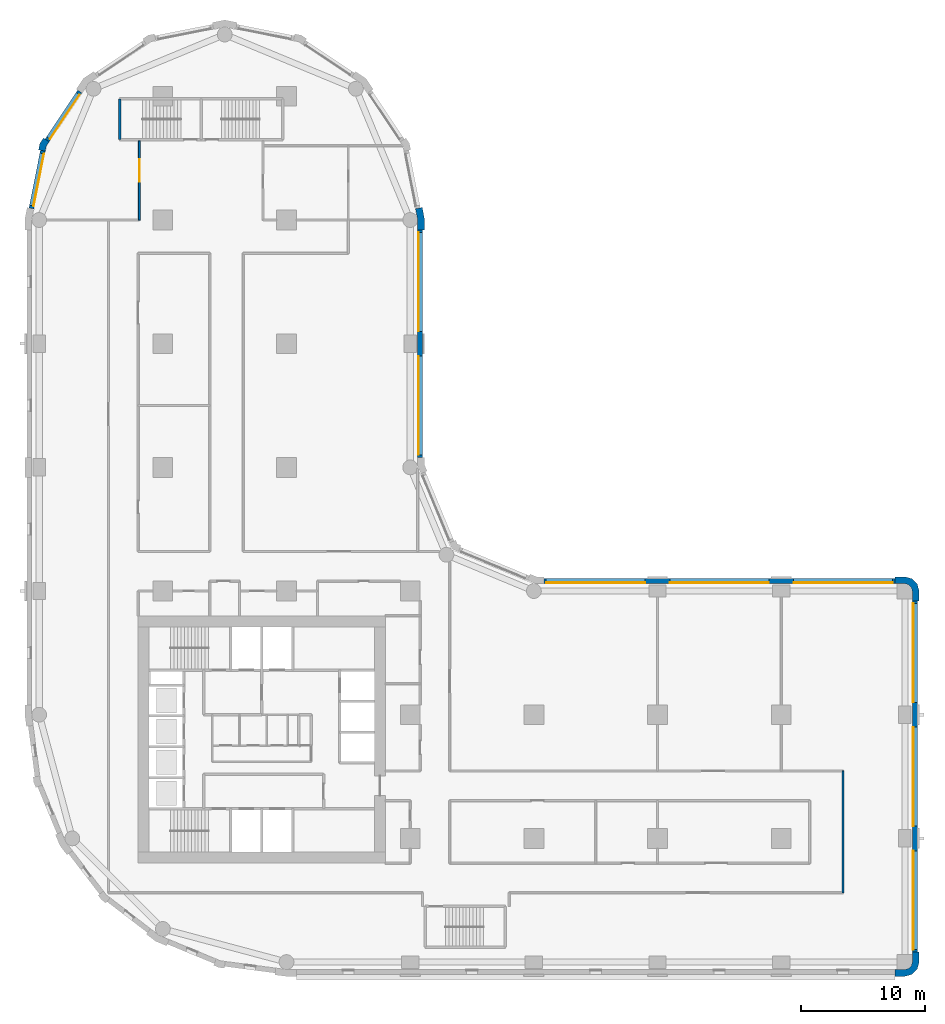
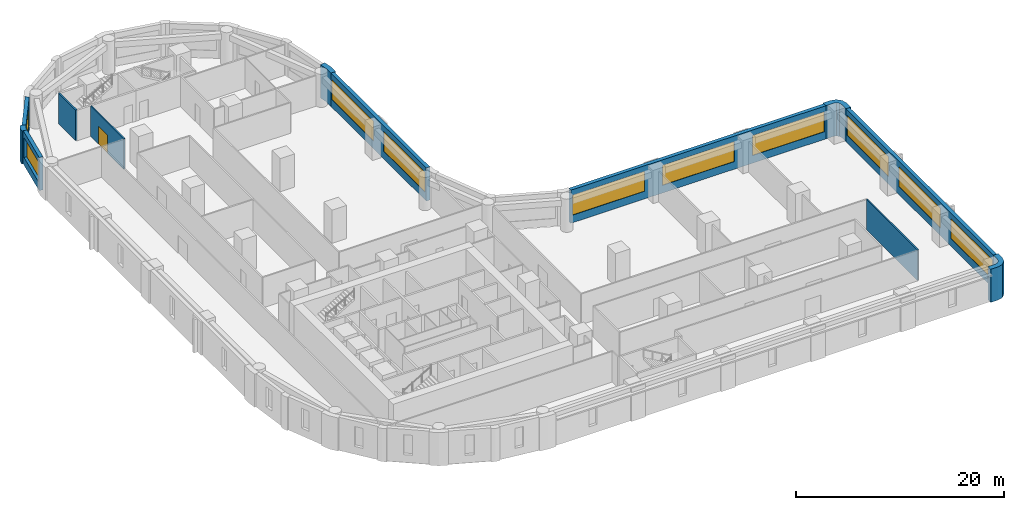
# One storey, part 6 of 10: 12 walls, 10 windows, 1 door, 11 openings.
"""IFC4 building model written with IfcOpenShell, lengths in metres."""

from ifc_helpers import new_model, si_unit, direction, frame, frame_2d, origin, place, context, subcontext, project, spatial, polyline, rectangle, outline, extrude, material, layer, layer_set, type_object, element, fill, save


model = new_model("IFC4")

# Units and contexts
model_context = context("Model", 3, precision=1e-05, world=origin(), true_north=direction((0.0, 1.0)))
body_context = subcontext(model_context, "Body", "Model", "MODEL_VIEW")
ifc_project = project(units=[si_unit("LENGTHUNIT", "METRE"), si_unit("AREAUNIT", "SQUARE_METRE"), si_unit("VOLUMEUNIT", "CUBIC_METRE"), si_unit("PLANEANGLEUNIT", "RADIAN"), si_unit("MASSUNIT", "GRAM", prefix="KILO")], contexts=[model_context])

# Site, building, storey
site_placement = place(None, origin())
site = spatial("IfcSite", under=ifc_project, at=site_placement, CompositionType="ELEMENT")
building_placement = place(site_placement, origin())
building = spatial("IfcBuilding", under=site, at=building_placement, Name="Qaws Garden Tower", CompositionType="ELEMENT")
storey_placement = place(building_placement, frame((0.0, 0.0, 43.199951171875)))
storey = spatial("IfcBuildingStorey", under=building, at=storey_placement, Name="L10", CompositionType="ELEMENT", Elevation=43.199951171875)

# Walls
ifc_material_1 = material(Name="Buff clay facing brick masonry", Category="masonry")
ifc_layer_1 = layer(ifc_material_1, 0.550048828125)
ifc_layer_set_1 = layer_set([ifc_layer_1], Name="Buff clay facing brick masonry")
wall_type_1 = type_object("IfcWallType", Name="Buff brick corner pier 550 x 2400", PredefinedType="SOLIDWALL", material=ifc_layer_set_1)
placement = place(storey_placement, origin())
element("IfcWall", 1, at=placement, inside=storey, type_object=wall_type_1, Name="E-L10-pier-05", PredefinedType="SOLIDWALL", context=body_context, shape_type="SweptSolid", body=[
    extrude(outline(polyline([(69.199951171875, -1.0), (69.199951171875, -1.14990234375), (70.0, -1.14990234375), (70.574951171875, -0.995849609375), (70.995849609375, -0.574951171875), (71.14990234375, 0.0), (71.14990234375, 0.800048828125), (71.0, 0.800048828125), (70.60009765625, 0.800048828125), (70.60009765625, 0.0), (70.51953125, -0.300048828125), (70.300048828125, -0.51953125), (70.0, -0.60009765625), (69.199951171875, -0.60009765625), (69.199951171875, -1.0)])), origin(), (0.0, 0.0, 1.0), 3.900146484375),
])
element("IfcWall", 2, at=placement, inside=storey, type_object=wall_type_1, Name="E-L10-pier-08", PredefinedType="SOLIDWALL", context=body_context, shape_type="SweptSolid", body=[
    extrude(outline(polyline([(71.0, 29.199951171875), (71.14990234375, 29.199951171875), (71.14990234375, 30.0), (70.995849609375, 30.574951171875), (70.574951171875, 30.995849609375), (70.0, 31.14990234375), (69.199951171875, 31.14990234375), (69.199951171875, 31.0), (69.199951171875, 30.60009765625), (70.0, 30.60009765625), (70.300048828125, 30.51953125), (70.51953125, 30.300048828125), (70.60009765625, 30.0), (70.60009765625, 29.199951171875), (71.0, 29.199951171875)])), origin(), (0.0, 0.0, 1.0), 3.900146484375),
])

# Wall, openings, windows
ifc_material_2 = material(Name="Buff clay facing brick masonry", Category="masonry")
ifc_layer_2 = layer(ifc_material_2, 0.39990234375)
ifc_layer_set_2 = layer_set([ifc_layer_2], Name="Buff clay facing brick masonry")
wall_type_2 = type_object("IfcWallType", Name="Buff brick infill wall 400", PredefinedType="SOLIDWALL", material=ifc_layer_set_2)
wall_3_placement = place(storey_placement, frame((70.800048828125, 0.800048828125, 0.0), z_axis=(0.0, 0.0, 1.0), x_axis=(0.0, 1.0, 0.0)))
wall_3 = element("IfcWall", 3, at=wall_3_placement, inside=storey, type_object=wall_type_2, Name="E-L10-infill-05", PredefinedType="SOLIDWALL", context=body_context, shape_type="SweptSolid", body=[
    extrude(rectangle(XDim=28.39990234375, YDim=0.39990234375, at=frame_2d((14.199951171875, 0.0))), origin(), (0.0, 0.0, 1.0), 3.900146484375),
])
opening_1_placement = place(wall_3_placement, frame((0.199951171875, 0.0, 0.89990234375)))
opening_1 = element("IfcOpeningElement", 4, at=opening_1_placement, cuts=wall_3, Name="Opening W01", PredefinedType="OPENING", context=body_context, shape_type="SweptSolid", body=[
    extrude(rectangle(XDim=8.0, YDim=2.35009765625, at=frame_2d((4.0, 1.175048828125))), frame((0.0, 0.2099609375, 0.0), z_axis=(0.0, -1.0, 0.0), x_axis=(1.0, 0.0, 0.0)), (0.0, 0.0, 1.0), 0.419921875),
])
opening_2_placement = place(wall_3_placement, frame((10.199951171875, 0.0, 0.89990234375)))
opening_2 = element("IfcOpeningElement", 5, at=opening_2_placement, cuts=wall_3, Name="Opening W01", PredefinedType="OPENING", context=body_context, shape_type="SweptSolid", body=[
    extrude(rectangle(XDim=8.0, YDim=2.35009765625, at=frame_2d((4.0, 1.175048828125))), frame((0.0, 0.2099609375, 0.0), z_axis=(0.0, -1.0, 0.0), x_axis=(1.0, 0.0, 0.0)), (0.0, 0.0, 1.0), 0.419921875),
])
opening_3_placement = place(wall_3_placement, frame((20.199951171875, 0.0, 0.89990234375)))
opening_3 = element("IfcOpeningElement", 6, at=opening_3_placement, cuts=wall_3, Name="Opening W01", PredefinedType="OPENING", context=body_context, shape_type="SweptSolid", body=[
    extrude(rectangle(XDim=8.0, YDim=2.35009765625, at=frame_2d((4.0, 1.175048828125))), frame((0.0, 0.2099609375, 0.0), z_axis=(0.0, -1.0, 0.0), x_axis=(1.0, 0.0, 0.0)), (0.0, 0.0, 1.0), 0.419921875),
])
ifc_material_3 = material(Name="Aluminium framed window, clear glazing", Category="aluminium")
window_type_1 = type_object("IfcWindowType", Name="Ribbon window 8000 x 2350", PartitioningType="DOUBLE_PANEL_VERTICAL", PredefinedType="WINDOW", material=ifc_material_3)
window_1_placement = place(opening_1_placement, origin())
window_1 = element("IfcWindow", 7, at=window_1_placement, inside=storey, type_object=window_type_1, Name="E-L10-window-05-0", OverallHeight=2.35009765625, OverallWidth=8.0, PartitioningType="SINGLE_PANEL", PredefinedType="WINDOW", context=body_context, shape_type="SweptSolid", body=[
    extrude(rectangle(XDim=8.0, YDim=2.35009765625, at=frame_2d((4.0, 1.175048828125))), frame((0.0, 0.159912109375, 0.0), z_axis=(0.0, -1.0, 0.0), x_axis=(1.0, 0.0, 0.0)), (0.0, 0.0, 1.0), 0.06005859375),
])
fill(opening_1, window_1)
window_2_placement = place(opening_2_placement, origin())
window_2 = element("IfcWindow", 8, at=window_2_placement, inside=storey, type_object=window_type_1, Name="E-L10-window-06-0", OverallHeight=2.35009765625, OverallWidth=8.0, PartitioningType="SINGLE_PANEL", PredefinedType="WINDOW", context=body_context, shape_type="SweptSolid", body=[
    extrude(rectangle(XDim=8.0, YDim=2.35009765625, at=frame_2d((4.0, 1.175048828125))), frame((0.0, 0.159912109375, 0.0), z_axis=(0.0, -1.0, 0.0), x_axis=(1.0, 0.0, 0.0)), (0.0, 0.0, 1.0), 0.06005859375),
])
fill(opening_2, window_2)
window_3_placement = place(opening_3_placement, origin())
window_3 = element("IfcWindow", 9, at=window_3_placement, inside=storey, type_object=window_type_1, Name="E-L10-window-07-0", OverallHeight=2.35009765625, OverallWidth=8.0, PartitioningType="SINGLE_PANEL", PredefinedType="WINDOW", context=body_context, shape_type="SweptSolid", body=[
    extrude(rectangle(XDim=8.0, YDim=2.35009765625, at=frame_2d((4.0, 1.175048828125))), frame((0.0, 0.159912109375, 0.0), z_axis=(0.0, -1.0, 0.0), x_axis=(1.0, 0.0, 0.0)), (0.0, 0.0, 1.0), 0.06005859375),
])
fill(opening_3, window_3)

wall_4_placement = place(storey_placement, frame((69.199951171875, 30.800048828125, 0.0), z_axis=(0.0, 0.0, 1.0), x_axis=(-1.0, 0.0, 0.0)))
wall_4 = element("IfcWall", 10, at=wall_4_placement, inside=storey, type_object=wall_type_2, Name="E-L10-infill-08", PredefinedType="SOLIDWALL", context=body_context, shape_type="SweptSolid", body=[
    extrude(rectangle(XDim=28.39990234375, YDim=0.39990234375, at=frame_2d((14.199951171875, 0.0))), origin(), (0.0, 0.0, 1.0), 3.900146484375),
])
opening_4_placement = place(wall_4_placement, frame((0.199951171875, 0.0, 0.89990234375)))
opening_4 = element("IfcOpeningElement", 11, at=opening_4_placement, cuts=wall_4, Name="Opening W01", PredefinedType="OPENING", context=body_context, shape_type="SweptSolid", body=[
    extrude(rectangle(XDim=8.0, YDim=2.35009765625, at=frame_2d((4.0, 1.175048828125))), frame((0.0, 0.2099609375, 0.0), z_axis=(0.0, -1.0, 0.0), x_axis=(1.0, 0.0, 0.0)), (0.0, 0.0, 1.0), 0.419921875),
])
opening_5_placement = place(wall_4_placement, frame((10.199951171875, 0.0, 0.89990234375)))
opening_5 = element("IfcOpeningElement", 12, at=opening_5_placement, cuts=wall_4, Name="Opening W01", PredefinedType="OPENING", context=body_context, shape_type="SweptSolid", body=[
    extrude(rectangle(XDim=8.0, YDim=2.35009765625, at=frame_2d((4.0, 1.175048828125))), frame((0.0, 0.2099609375, 0.0), z_axis=(0.0, -1.0, 0.0), x_axis=(1.0, 0.0, 0.0)), (0.0, 0.0, 1.0), 0.419921875),
])
opening_6_placement = place(wall_4_placement, frame((20.199951171875, 0.0, 0.89990234375)))
opening_6 = element("IfcOpeningElement", 13, at=opening_6_placement, cuts=wall_4, Name="Opening W01", PredefinedType="OPENING", context=body_context, shape_type="SweptSolid", body=[
    extrude(rectangle(XDim=8.0, YDim=2.35009765625, at=frame_2d((4.0, 1.175048828125))), frame((0.0, 0.2099609375, 0.0), z_axis=(0.0, -1.0, 0.0), x_axis=(1.0, 0.0, 0.0)), (0.0, 0.0, 1.0), 0.419921875),
])
window_4_placement = place(opening_4_placement, origin())
window_4 = element("IfcWindow", 14, at=window_4_placement, inside=storey, type_object=window_type_1, Name="E-L10-window-08-0", OverallHeight=2.35009765625, OverallWidth=8.0, PartitioningType="SINGLE_PANEL", PredefinedType="WINDOW", context=body_context, shape_type="SweptSolid", body=[
    extrude(rectangle(XDim=8.0, YDim=2.35009765625, at=frame_2d((4.0, 1.175048828125))), frame((0.0, 0.159912109375, 0.0), z_axis=(0.0, -1.0, 0.0), x_axis=(1.0, 0.0, 0.0)), (0.0, 0.0, 1.0), 0.06005859375),
])
fill(opening_4, window_4)
window_5_placement = place(opening_5_placement, origin())
window_5 = element("IfcWindow", 15, at=window_5_placement, inside=storey, type_object=window_type_1, Name="E-L10-window-09-0", OverallHeight=2.35009765625, OverallWidth=8.0, PartitioningType="SINGLE_PANEL", PredefinedType="WINDOW", context=body_context, shape_type="SweptSolid", body=[
    extrude(rectangle(XDim=8.0, YDim=2.35009765625, at=frame_2d((4.0, 1.175048828125))), frame((0.0, 0.159912109375, 0.0), z_axis=(0.0, -1.0, 0.0), x_axis=(1.0, 0.0, 0.0)), (0.0, 0.0, 1.0), 0.06005859375),
])
fill(opening_5, window_5)
window_6_placement = place(opening_6_placement, origin())
window_6 = element("IfcWindow", 16, at=window_6_placement, inside=storey, type_object=window_type_1, Name="E-L10-window-10-0", OverallHeight=2.35009765625, OverallWidth=8.0, PartitioningType="SINGLE_PANEL", PredefinedType="WINDOW", context=body_context, shape_type="SweptSolid", body=[
    extrude(rectangle(XDim=8.0, YDim=2.35009765625, at=frame_2d((4.0, 1.175048828125))), frame((0.0, 0.159912109375, 0.0), z_axis=(0.0, -1.0, 0.0), x_axis=(1.0, 0.0, 0.0)), (0.0, 0.0, 1.0), 0.06005859375),
])
fill(opening_6, window_6)

wall_5_placement = place(storey_placement, frame((30.800048828125, 40.800048828125, 0.0), z_axis=(0.0, 0.0, 1.0), x_axis=(0.0, 1.0, 0.0)))
wall_5 = element("IfcWall", 17, at=wall_5_placement, inside=storey, type_object=wall_type_2, Name="E-L10-infill-13", PredefinedType="SOLIDWALL", context=body_context, shape_type="SweptSolid", body=[
    extrude(rectangle(XDim=18.39990234375, YDim=0.39990234375, at=frame_2d((9.199951171875, 0.0))), origin(), (0.0, 0.0, 1.0), 3.900146484375),
])
opening_7_placement = place(wall_5_placement, frame((0.199951171875, 0.0, 0.89990234375)))
opening_7 = element("IfcOpeningElement", 18, at=opening_7_placement, cuts=wall_5, Name="Opening W01", PredefinedType="OPENING", context=body_context, shape_type="SweptSolid", body=[
    extrude(rectangle(XDim=8.0, YDim=2.35009765625, at=frame_2d((4.0, 1.175048828125))), frame((0.0, 0.2099609375, 0.0), z_axis=(0.0, -1.0, 0.0), x_axis=(1.0, 0.0, 0.0)), (0.0, 0.0, 1.0), 0.419921875),
])
opening_8_placement = place(wall_5_placement, frame((10.199951171875, 0.0, 0.89990234375)))
opening_8 = element("IfcOpeningElement", 19, at=opening_8_placement, cuts=wall_5, Name="Opening W01", PredefinedType="OPENING", context=body_context, shape_type="SweptSolid", body=[
    extrude(rectangle(XDim=8.0, YDim=2.35009765625, at=frame_2d((4.0, 1.175048828125))), frame((0.0, 0.2099609375, 0.0), z_axis=(0.0, -1.0, 0.0), x_axis=(1.0, 0.0, 0.0)), (0.0, 0.0, 1.0), 0.419921875),
])
window_7_placement = place(opening_7_placement, origin())
window_7 = element("IfcWindow", 20, at=window_7_placement, inside=storey, type_object=window_type_1, Name="E-L10-window-13-0", OverallHeight=2.35009765625, OverallWidth=8.0, PartitioningType="SINGLE_PANEL", PredefinedType="WINDOW", context=body_context, shape_type="SweptSolid", body=[
    extrude(rectangle(XDim=8.0, YDim=2.35009765625, at=frame_2d((4.0, 1.175048828125))), frame((0.0, 0.159912109375, 0.0), z_axis=(0.0, -1.0, 0.0), x_axis=(1.0, 0.0, 0.0)), (0.0, 0.0, 1.0), 0.06005859375),
])
fill(opening_7, window_7)
window_8_placement = place(opening_8_placement, origin())
window_8 = element("IfcWindow", 21, at=window_8_placement, inside=storey, type_object=window_type_1, Name="E-L10-window-14-0", OverallHeight=2.35009765625, OverallWidth=8.0, PartitioningType="SINGLE_PANEL", PredefinedType="WINDOW", context=body_context, shape_type="SweptSolid", body=[
    extrude(rectangle(XDim=8.0, YDim=2.35009765625, at=frame_2d((4.0, 1.175048828125))), frame((0.0, 0.159912109375, 0.0), z_axis=(0.0, -1.0, 0.0), x_axis=(1.0, 0.0, 0.0)), (0.0, 0.0, 1.0), 0.06005859375),
])
fill(opening_8, window_8)

# Wall, opening, window
wall_6_placement = place(storey_placement, frame((3.28369140625, 70.385986328125, 0.0), z_axis=(0.0, 0.0, 1.0), x_axis=(-0.555541552266, -0.831488775454, 0.0)))
wall_6 = element("IfcWall", 22, at=wall_6_placement, inside=storey, type_object=wall_type_2, Name="E-L10-infill-21", PredefinedType="SOLIDWALL", context=body_context, shape_type="SweptSolid", body=[
    extrude(rectangle(XDim=4.752685546875, YDim=0.39990234375, at=frame_2d((2.37646484375, 0.0))), origin(), (0.0, 0.0, 1.0), 3.900146484375),
])
opening_9_placement = place(wall_6_placement, frame((0.226318359375, 0.0, 0.89990234375)))
opening_9 = element("IfcOpeningElement", 23, at=opening_9_placement, cuts=wall_6, Name="Opening W06", PredefinedType="OPENING", context=body_context, shape_type="SweptSolid", body=[
    extrude(rectangle(XDim=4.300048828125, YDim=2.35009765625, at=frame_2d((2.14990234375, 1.175048828125))), frame((0.0, 0.2099609375, 0.0), z_axis=(0.0, -1.0, 0.0), x_axis=(1.0, 0.0, 0.0)), (0.0, 0.0, 1.0), 0.419921875),
])
ifc_material_4 = material(Name="Aluminium framed window, clear glazing", Category="aluminium")
window_type_2 = type_object("IfcWindowType", Name="Ribbon window 4300 x 2350", PartitioningType="DOUBLE_PANEL_VERTICAL", PredefinedType="WINDOW", material=ifc_material_4)
window_9_placement = place(opening_9_placement, origin())
window_9 = element("IfcWindow", 24, at=window_9_placement, inside=storey, type_object=window_type_2, Name="E-L10-window-21-0", OverallHeight=2.35009765625, OverallWidth=4.300048828125, PartitioningType="SINGLE_PANEL", PredefinedType="WINDOW", context=body_context, shape_type="SweptSolid", body=[
    extrude(rectangle(XDim=4.300048828125, YDim=2.35009765625, at=frame_2d((2.14990234375, 1.175048828125))), frame((0.0, 0.159912109375, 0.0), z_axis=(0.0, -1.0, 0.0), x_axis=(1.0, 0.0, 0.0)), (0.0, 0.0, 1.0), 0.06005859375),
])
fill(opening_9, window_9)

wall_7_placement = place(storey_placement, frame((0.298583984375, 65.60205078125, 0.0), z_axis=(0.0, 0.0, 1.0), x_axis=(-0.195098533057, -0.98078364709, 0.0)))
wall_7 = element("IfcWall", 25, at=wall_7_placement, inside=storey, type_object=wall_type_2, Name="E-L10-infill-22", PredefinedType="SOLIDWALL", context=body_context, shape_type="SweptSolid", body=[
    extrude(rectangle(XDim=4.752685546875, YDim=0.39990234375, at=frame_2d((2.37646484375, 0.0))), origin(), (0.0, 0.0, 1.0), 3.900146484375),
])
opening_10_placement = place(wall_7_placement, frame((0.226318359375, 0.0, 0.89990234375)))
opening_10 = element("IfcOpeningElement", 26, at=opening_10_placement, cuts=wall_7, Name="Opening W06", PredefinedType="OPENING", context=body_context, shape_type="SweptSolid", body=[
    extrude(rectangle(XDim=4.300048828125, YDim=2.35009765625, at=frame_2d((2.14990234375, 1.175048828125))), frame((0.0, 0.2099609375, 0.0), z_axis=(0.0, -1.0, 0.0), x_axis=(1.0, 0.0, 0.0)), (0.0, 0.0, 1.0), 0.419921875),
])
window_10_placement = place(opening_10_placement, origin())
window_10 = element("IfcWindow", 27, at=window_10_placement, inside=storey, type_object=window_type_2, Name="E-L10-window-22-0", OverallHeight=2.35009765625, OverallWidth=4.300048828125, PartitioningType="SINGLE_PANEL", PredefinedType="WINDOW", context=body_context, shape_type="SweptSolid", body=[
    extrude(rectangle(XDim=4.300048828125, YDim=2.35009765625, at=frame_2d((2.14990234375, 1.175048828125))), frame((0.0, 0.159912109375, 0.0), z_axis=(0.0, -1.0, 0.0), x_axis=(1.0, 0.0, 0.0)), (0.0, 0.0, 1.0), 0.06005859375),
])
fill(opening_10, window_10)

# Walls
ifc_material_5 = material(Name="Buff clay facing brick masonry", Category="masonry")
ifc_layer_3 = layer(ifc_material_5, 0.550048828125)
ifc_layer_set_3 = layer_set([ifc_layer_3], Name="Buff clay facing brick masonry")
wall_type_3 = type_object("IfcWallType", Name="Buff brick kink pier 550 x 600", PredefinedType="SOLIDWALL", material=ifc_layer_set_3)
element("IfcWall", 28, at=placement, inside=storey, type_object=wall_type_3, Name="E-L10-pier-22", PredefinedType="SOLIDWALL", context=body_context, shape_type="SweptSolid", body=[
    extrude(outline(polyline([(0.47705078125, 66.545166015625), (0.352294921875, 66.628662109375), (0.05859375, 66.18896484375), (-0.044677734375, 65.67041015625), (0.1025390625, 65.64111328125), (0.494873046875, 65.56298828125), (0.57666015625, 65.974365234375), (0.8095703125, 66.322998046875), (0.47705078125, 66.545166015625)])), origin(), (0.0, 0.0, 1.0), 3.900146484375),
])
ifc_material_6 = material(Name="Buff clay facing brick masonry", Category="masonry")
ifc_layer_4 = layer(ifc_material_6, 0.550048828125)
ifc_layer_set_4 = layer_set([ifc_layer_4], Name="Buff clay facing brick masonry")
wall_type_4 = type_object("IfcWallType", Name="Buff brick pier 550 x 1600", PredefinedType="SOLIDWALL", material=ifc_layer_set_4)
element("IfcWall", 29, at=placement, inside=storey, type_object=wall_type_4, Name="E-L10-pier-15", PredefinedType="SOLIDWALL", context=body_context, shape_type="SweptSolid", body=[
    extrude(outline(polyline([(31.0, 59.199951171875), (31.14990234375, 59.199951171875), (31.14990234375, 60.11328125), (30.971923828125, 61.009033203125), (30.82470703125, 60.979736328125), (30.432373046875, 60.901611328125), (30.60009765625, 60.05908203125), (30.60009765625, 59.199951171875), (31.0, 59.199951171875)])), origin(), (0.0, 0.0, 1.0), 3.900146484375),
])
ifc_material_7 = material(Name="Concrete C80", Category="concrete")
ifc_layer_5 = layer(ifc_material_7, 0.199951171875)
ifc_layer_set_5 = layer_set([ifc_layer_5], Name="Concrete C80")
wall_type_5 = type_object("IfcWallType", Name="Core shaft wall 200 C80", PredefinedType="SHEAR", material=ifc_layer_set_5)
wall_10_placement = place(storey_placement, frame((6.5, 66.5, 0.0), z_axis=(0.0, 0.0, 1.0), x_axis=(0.0, 1.0, 0.0)))
element("IfcWall", 30, at=wall_10_placement, inside=storey, type_object=wall_type_5, Name="Shaft wall", PredefinedType="SHEAR", context=body_context, shape_type="SweptSolid", body=[
    extrude(rectangle(XDim=3.300048828125, YDim=0.199951171875, at=frame_2d((1.64990234375, 0.0))), origin(), (0.0, 0.0, 1.0), 3.580078125),
])

# Wall, opening, door
ifc_material_8 = material(Name="Gypsum board partition")
ifc_layer_6 = layer(ifc_material_8, 0.14990234375)
ifc_layer_set_6 = layer_set([ifc_layer_6], Name="Gypsum board partition")
wall_type_6 = type_object("IfcWallType", Name="PARTITION 150 EI 60", PredefinedType="PARTITIONING", material=ifc_layer_set_6)
wall_11_placement = place(storey_placement, frame((8.10009765625, 60.0, 0.0), z_axis=(0.0, 0.0, 1.0), x_axis=(0.0, 1.0, 0.0)))
wall_11 = element("IfcWall", 31, at=wall_11_placement, inside=storey, type_object=wall_type_6, Name="O-L10-wall-005", PredefinedType="PARTITIONING", context=body_context, shape_type="SweptSolid", body=[
    extrude(rectangle(XDim=6.39990234375, YDim=0.14990234375, at=frame_2d((3.199951171875, 0.0))), origin(), (0.0, 0.0, 1.0), 3.580078125),
])
opening_11_placement = place(wall_11_placement, frame((3.10009765625, 0.0, 0.0)))
opening_11 = element("IfcOpeningElement", 32, at=opening_11_placement, cuts=wall_11, Name="Opening A309", PredefinedType="OPENING", context=body_context, shape_type="SweptSolid", body=[
    extrude(rectangle(XDim=1.800048828125, YDim=2.10009765625, at=frame_2d((0.89990234375, 1.050048828125))), frame((0.0, 0.0849609375, 0.0), z_axis=(0.0, -1.0, 0.0), x_axis=(1.0, 0.0, 0.0)), (0.0, 0.0, 1.0), 0.169921875),
])
ifc_material_9 = material(Name="Timber door leaf", Category="wood")
door_type = type_object("IfcDoorType", Name="DOUBLE DOOR 1800 X 2100", OperationType="DOUBLE_DOOR_SINGLE_SWING", PredefinedType="DOOR", material=ifc_material_9)
door_placement = place(opening_11_placement, origin())
door = element("IfcDoor", 33, at=door_placement, inside=storey, type_object=door_type, Name="O-L10-door-009", OperationType="DOUBLE_DOOR_SINGLE_SWING", OverallHeight=2.10009765625, OverallWidth=1.800048828125, PredefinedType="DOOR", context=body_context, shape_type="SweptSolid", body=[
    extrude(rectangle(XDim=1.800048828125, YDim=2.10009765625, at=frame_2d((0.89990234375, 1.050048828125))), frame((0.0, 0.02490234375, 0.0), z_axis=(0.0, -1.0, 0.0), x_axis=(1.0, 0.0, 0.0)), (0.0, 0.0, 1.0), 0.050048828125),
])
fill(opening_11, door)

# Wall
wall_12_placement = place(storey_placement, frame((65.0, 5.60009765625, 0.0), z_axis=(0.0, 0.0, 1.0), x_axis=(0.0, 1.0, 0.0)))
element("IfcWall", 34, at=wall_12_placement, inside=storey, type_object=wall_type_6, Name="O-L10-wall-030", PredefinedType="PARTITIONING", context=body_context, shape_type="SweptSolid", body=[
    extrude(rectangle(XDim=9.849853515625, YDim=0.14990234375, at=frame_2d((4.9248046875, 0.0))), origin(), (0.0, 0.0, 1.0), 3.580078125),
])

save(model, "model.ifc")
